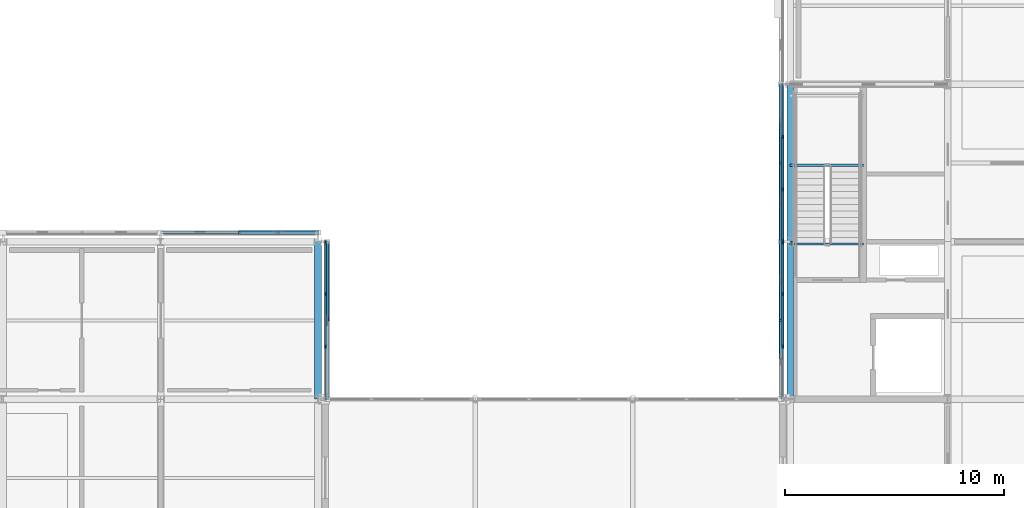
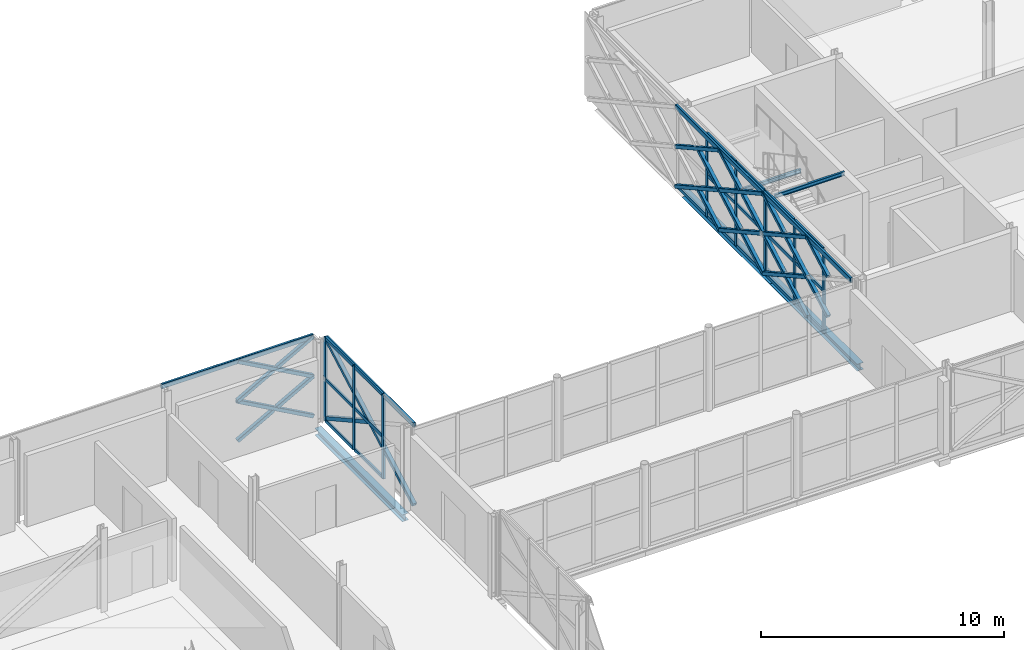
# One storey, part 48 of 126: 58 members, 5 beams, 3 elements without a shape of their own.
"""IFC4 building model written with IfcOpenShell, lengths in metres."""

from ifc_helpers import new_model, si_unit, direction, frame, origin, origin_2d, place, context, subcontext, project, spatial, rectangle, hollow_rectangle, i_section, extrude, material, material_profile, profile_set, type_object, element, aggregate, save


model = new_model("IFC4")

# Units and contexts
model_context = context("Model", 3, precision=1e-05, world=origin(), true_north=direction((0.0, 1.0)))
body_context = subcontext(model_context, "Body", "Model", "MODEL_VIEW")
ifc_project = project(units=[si_unit("LENGTHUNIT", "METRE"), si_unit("AREAUNIT", "SQUARE_METRE"), si_unit("VOLUMEUNIT", "CUBIC_METRE"), si_unit("PLANEANGLEUNIT", "RADIAN"), si_unit("MASSUNIT", "GRAM", prefix="KILO")], contexts=[model_context])

# Site, building, storey
site_placement = place(None, origin())
site = spatial("IfcSite", under=ifc_project, at=site_placement, CompositionType="ELEMENT")
building_placement = place(site_placement, origin())
building = spatial("IfcBuilding", under=site, at=building_placement, Name="Zlatovets Crest Museum", CompositionType="ELEMENT")
storey_placement = place(building_placement, frame((0.0, 0.0, 8.699951171875)))
storey = spatial("IfcBuildingStorey", under=building, at=storey_placement, Name="L02", CompositionType="ELEMENT", Elevation=8.699951171875)

# Beams
ifc_material_1 = material(Name="Structural steel S355J2", Category="steel")
ifc_material_profile_1 = material_profile(ifc_material_1, i_section(OverallWidth=0.300048828125, OverallDepth=0.35009765625, WebThickness=0.010009765625, FlangeThickness=0.017578125, FilletRadius=0.027099609375, at=origin_2d()), Name="HEA 360")
ifc_profile_set_1 = profile_set([ifc_material_profile_1], Name="Structural steel S355J2")
beam_type_1 = type_object("IfcBeamType", Name="Beam_B-03", PredefinedType="BEAM", material=ifc_profile_set_1)
for number, where, z_axis, x_axis, name in (
    (1, (57.60009765625, 93.60009765625, -0.39501953125), (0.0, 1.0, 0.0), (-1.0, 0.0, 0.0), "V1 L02 Grid Beam B-03"),
    (2, (57.60009765625, 100.800048828125, -0.39501953125), (0.0, 1.0, 0.0), (-1.0, 0.0, 0.0), "V1 L02 Grid Beam B-03"),
    (3, (36.0, 93.60009765625, -0.39501953125), (0.0, 1.0, 0.0), (-1.0, 0.0, 0.0), "V4 L02 Grid Beam B-03"),
):
    element("IfcBeam", number, at=place(storey_placement, frame(where, z_axis=z_axis, x_axis=x_axis)), inside=storey, type_object=beam_type_1, Name=name, PredefinedType="BEAM", context=body_context, shape_type="SweptSolid", body=[
        extrude(i_section(OverallWidth=0.300048828125, OverallDepth=0.35009765625, WebThickness=0.010009765625, FlangeThickness=0.017578125, FilletRadius=0.027099609375, at=origin_2d()), origin(), (0.0, 0.0, 1.0), 7.199951171875),
    ])
ifc_material_profile_2 = material_profile(ifc_material_1, i_section(OverallWidth=0.10009765625, OverallDepth=0.199951171875, WebThickness=0.005615234375, FlangeThickness=0.008544921875, FilletRadius=0.011962890625, at=origin_2d()), Name="IPE 200")
ifc_profile_set_2 = profile_set([ifc_material_profile_2], Name="Structural steel S355J2")
beam_type_2 = type_object("IfcBeamType", Name="Beam_PR-02", PredefinedType="LINTEL", material=ifc_profile_set_2)
for number, where, z_axis, x_axis, name in (
    (4, (57.60009765625, 100.699951171875, 3.860107421875), (1.0, 0.0, 0.0), (0.0, 1.0, 0.0), "Core C1 L02 Stair Well Header Beam"),
    (5, (57.60009765625, 104.300048828125, 1.800048828125), (1.0, 0.0, 0.0), (0.0, 1.0, 0.0), "Core C1 L02 Half-Landing Support Beam"),
):
    element("IfcBeam", number, at=place(storey_placement, frame(where, z_axis=z_axis, x_axis=x_axis)), inside=storey, type_object=beam_type_2, Name=name, PredefinedType="LINTEL", context=body_context, shape_type="SweptSolid", body=[
        extrude(i_section(OverallWidth=0.10009765625, OverallDepth=0.199951171875, WebThickness=0.005615234375, FlangeThickness=0.008544921875, FilletRadius=0.011962890625, at=origin_2d()), origin(), (0.0, 0.0, 1.0), 3.349853515625),
    ])

# Curtain wall, members
ifc_material_2 = material(Name="Bronze-anodised aluminium and low-E triple glass", Category="aluminium")
curtain_wall_type_1 = type_object("IfcCurtainWallType", Name="CW_CW-V1-L02-M3", PredefinedType="NOTDEFINED", material=ifc_material_2)
curtain_wall_1_placement = place(storey_placement, origin())
curtain_wall_1 = element("IfcCurtainWall", 6, at=curtain_wall_1_placement, inside=storey, type_object=curtain_wall_type_1, Name="V1 L02 Expressed Core Glazed Facade", PredefinedType="NOTDEFINED")
ifc_material_3 = material(Name="Bronze-anodised aluminium EN AW-6060", Category="aluminium")
ifc_material_profile_3 = material_profile(ifc_material_3, rectangle(XDim=0.080078125, YDim=0.159912109375, at=origin_2d()), Name="ALU 80x160")
ifc_profile_set_3 = profile_set([ifc_material_profile_3], Name="Bronze-anodised aluminium EN AW-6060")
member_type_1 = type_object("IfcMemberType", Name="CWMull_M1", PredefinedType="MULLION", material=ifc_profile_set_3)
member_1_placement = place(storey_placement, frame((57.260009765625, 105.60009765625, 0.0), z_axis=(0.0, 0.0, 1.0), x_axis=(1.0, 0.0, 0.0)))
member_1 = element("IfcMember", 7, at=member_1_placement, type_object=member_type_1, Name="CW-V1-L02-M3 mullion 2", PredefinedType="MULLION", context=body_context, shape_type="SweptSolid", body=[
    extrude(rectangle(XDim=0.080078125, YDim=0.159912109375, at=origin_2d()), origin(), (0.0, 0.0, 1.0), 4.199951171875),
])
member_2_placement = place(storey_placement, frame((57.260009765625, 103.199951171875, 0.0), z_axis=(0.0, 0.0, 1.0), x_axis=(1.0, 0.0, 0.0)))
member_2 = element("IfcMember", 8, at=member_2_placement, type_object=member_type_1, Name="CW-V1-L02-M3 mullion 3", PredefinedType="MULLION", context=body_context, shape_type="SweptSolid", body=[
    extrude(rectangle(XDim=0.080078125, YDim=0.159912109375, at=origin_2d()), origin(), (0.0, 0.0, 1.0), 4.199951171875),
])
member_3_placement = place(storey_placement, frame((57.260009765625, 100.830078125, 0.0), z_axis=(0.0, 0.0, 1.0), x_axis=(1.0, 0.0, 0.0)))
member_3 = element("IfcMember", 9, at=member_3_placement, type_object=member_type_1, Name="CW-V1-L02-M3 mullion 4", PredefinedType="MULLION", context=body_context, shape_type="SweptSolid", body=[
    extrude(rectangle(XDim=0.080078125, YDim=0.159912109375, at=origin_2d()), origin(), (0.0, 0.0, 1.0), 4.199951171875),
])

curtain_wall_type_2 = type_object("IfcCurtainWallType", Name="CW_CW-V1-L02-M0", PredefinedType="NOTDEFINED", material=ifc_material_2)
curtain_wall_2_placement = place(storey_placement, origin())
curtain_wall_2 = element("IfcCurtainWall", 10, at=curtain_wall_2_placement, inside=storey, type_object=curtain_wall_type_2, Name="V1 L02 Expressed Core Glazed Facade", PredefinedType="NOTDEFINED")
member_4_placement = place(storey_placement, frame((57.260009765625, 100.77001953125, 0.0), z_axis=(0.0, 0.0, 1.0), x_axis=(1.0, 0.0, 0.0)))
member_4 = element("IfcMember", 11, at=member_4_placement, type_object=member_type_1, Name="CW-V1-L02-M0 mullion 1", PredefinedType="MULLION", context=body_context, shape_type="SweptSolid", body=[
    extrude(rectangle(XDim=0.080078125, YDim=0.159912109375, at=origin_2d()), origin(), (0.0, 0.0, 1.0), 4.199951171875),
])
member_5_placement = place(storey_placement, frame((57.260009765625, 98.39990234375, 0.0), z_axis=(0.0, 0.0, 1.0), x_axis=(1.0, 0.0, 0.0)))
member_5 = element("IfcMember", 12, at=member_5_placement, type_object=member_type_1, Name="CW-V1-L02-M0 mullion 2", PredefinedType="MULLION", context=body_context, shape_type="SweptSolid", body=[
    extrude(rectangle(XDim=0.080078125, YDim=0.159912109375, at=origin_2d()), origin(), (0.0, 0.0, 1.0), 4.199951171875),
])
member_6_placement = place(storey_placement, frame((57.260009765625, 96.0, 0.0), z_axis=(0.0, 0.0, 1.0), x_axis=(1.0, 0.0, 0.0)))
member_6 = element("IfcMember", 13, at=member_6_placement, type_object=member_type_1, Name="CW-V1-L02-M0 mullion 3", PredefinedType="MULLION", context=body_context, shape_type="SweptSolid", body=[
    extrude(rectangle(XDim=0.080078125, YDim=0.159912109375, at=origin_2d()), origin(), (0.0, 0.0, 1.0), 4.199951171875),
])

curtain_wall_type_3 = type_object("IfcCurtainWallType", Name="CW_CW-V4-L02-M2", PredefinedType="NOTDEFINED", material=ifc_material_2)
curtain_wall_3_placement = place(storey_placement, origin())
curtain_wall_3 = element("IfcCurtainWall", 14, at=curtain_wall_3_placement, inside=storey, type_object=curtain_wall_type_3, Name="V4 L02 Secession Foyer Clear Curtain Wall", PredefinedType="NOTDEFINED")
member_7_placement = place(storey_placement, frame((36.340087890625, 96.0, 0.0), z_axis=(0.0, 0.0, 1.0), x_axis=(-1.0, 0.0, 0.0)))
member_7 = element("IfcMember", 15, at=member_7_placement, type_object=member_type_1, Name="CW-V4-L02-M2 mullion 2", PredefinedType="MULLION", context=body_context, shape_type="SweptSolid", body=[
    extrude(rectangle(XDim=0.080078125, YDim=0.159912109375, at=origin_2d()), origin(), (0.0, 0.0, 1.0), 4.199951171875),
])
member_8_placement = place(storey_placement, frame((36.340087890625, 98.39990234375, 0.0), z_axis=(0.0, 0.0, 1.0), x_axis=(-1.0, 0.0, 0.0)))
member_8 = element("IfcMember", 16, at=member_8_placement, type_object=member_type_1, Name="CW-V4-L02-M2 mullion 3", PredefinedType="MULLION", context=body_context, shape_type="SweptSolid", body=[
    extrude(rectangle(XDim=0.080078125, YDim=0.159912109375, at=origin_2d()), origin(), (0.0, 0.0, 1.0), 4.199951171875),
])
member_9_placement = place(storey_placement, frame((36.340087890625, 100.77001953125, 0.0), z_axis=(0.0, 0.0, 1.0), x_axis=(-1.0, 0.0, 0.0)))
member_9 = element("IfcMember", 17, at=member_9_placement, type_object=member_type_1, Name="CW-V4-L02-M2 mullion 4", PredefinedType="MULLION", context=body_context, shape_type="SweptSolid", body=[
    extrude(rectangle(XDim=0.080078125, YDim=0.159912109375, at=origin_2d()), origin(), (0.0, 0.0, 1.0), 4.199951171875),
])

# Member
ifc_material_profile_4 = material_profile(ifc_material_3, rectangle(XDim=0.080078125, YDim=0.159912109375, at=origin_2d()), Name="ALU 80x160")
ifc_profile_set_4 = profile_set([ifc_material_profile_4], Name="Bronze-anodised aluminium EN AW-6060")
member_type_2 = type_object("IfcMemberType", Name="CWTrans_T1", PredefinedType="USERDEFINED", material=ifc_profile_set_4)
member_10_placement = place(storey_placement, frame((57.260009765625, 107.93994140625, 0.030029296875), z_axis=(0.0, -1.0, 0.0), x_axis=(1.0, 0.0, 0.0)))
member_10 = element("IfcMember", 18, at=member_10_placement, type_object=member_type_2, Name="CW-V1-L02-M3 transom 1.1", ObjectType="TRANSOM", PredefinedType="USERDEFINED", context=body_context, shape_type="SweptSolid", body=[
    extrude(rectangle(XDim=0.080078125, YDim=0.159912109375, at=origin_2d()), origin(), (0.0, 0.0, 1.0), 2.31005859375),
])

member_11_placement = place(storey_placement, frame((57.260009765625, 105.570068359375, 0.030029296875), z_axis=(0.0, -1.0, 0.0), x_axis=(1.0, 0.0, 0.0)))
member_11 = element("IfcMember", 19, at=member_11_placement, type_object=member_type_2, Name="CW-V1-L02-M3 transom 2.1", ObjectType="TRANSOM", PredefinedType="USERDEFINED", context=body_context, shape_type="SweptSolid", body=[
    extrude(rectangle(XDim=0.080078125, YDim=0.159912109375, at=origin_2d()), origin(), (0.0, 0.0, 1.0), 2.340087890625),
])

member_12_placement = place(storey_placement, frame((57.260009765625, 105.570068359375, 2.10009765625), z_axis=(0.0, -1.0, 0.0), x_axis=(1.0, 0.0, 0.0)))
member_12 = element("IfcMember", 20, at=member_12_placement, type_object=member_type_2, Name="CW-V1-L02-M3 transom 2.2", ObjectType="TRANSOM", PredefinedType="USERDEFINED", context=body_context, shape_type="SweptSolid", body=[
    extrude(rectangle(XDim=0.080078125, YDim=0.159912109375, at=origin_2d()), origin(), (0.0, 0.0, 1.0), 2.340087890625),
])

member_13_placement = place(storey_placement, frame((57.260009765625, 105.570068359375, 4.170166015625), z_axis=(0.0, -1.0, 0.0), x_axis=(1.0, 0.0, 0.0)))
member_13 = element("IfcMember", 21, at=member_13_placement, type_object=member_type_2, Name="CW-V1-L02-M3 transom 2.3", ObjectType="TRANSOM", PredefinedType="USERDEFINED", context=body_context, shape_type="SweptSolid", body=[
    extrude(rectangle(XDim=0.080078125, YDim=0.159912109375, at=origin_2d()), origin(), (0.0, 0.0, 1.0), 2.340087890625),
])

member_14_placement = place(storey_placement, frame((57.260009765625, 103.169921875, 0.030029296875), z_axis=(0.0, -1.0, 0.0), x_axis=(1.0, 0.0, 0.0)))
member_14 = element("IfcMember", 22, at=member_14_placement, type_object=member_type_2, Name="CW-V1-L02-M3 transom 3.1", ObjectType="TRANSOM", PredefinedType="USERDEFINED", context=body_context, shape_type="SweptSolid", body=[
    extrude(rectangle(XDim=0.080078125, YDim=0.159912109375, at=origin_2d()), origin(), (0.0, 0.0, 1.0), 2.309814453125),
])

member_15_placement = place(storey_placement, frame((57.260009765625, 103.169921875, 2.10009765625), z_axis=(0.0, -1.0, 0.0), x_axis=(1.0, 0.0, 0.0)))
member_15 = element("IfcMember", 23, at=member_15_placement, type_object=member_type_2, Name="CW-V1-L02-M3 transom 3.2", ObjectType="TRANSOM", PredefinedType="USERDEFINED", context=body_context, shape_type="SweptSolid", body=[
    extrude(rectangle(XDim=0.080078125, YDim=0.159912109375, at=origin_2d()), origin(), (0.0, 0.0, 1.0), 2.309814453125),
])

member_16_placement = place(storey_placement, frame((57.260009765625, 103.169921875, 4.170166015625), z_axis=(0.0, -1.0, 0.0), x_axis=(1.0, 0.0, 0.0)))
member_16 = element("IfcMember", 24, at=member_16_placement, type_object=member_type_2, Name="CW-V1-L02-M3 transom 3.3", ObjectType="TRANSOM", PredefinedType="USERDEFINED", context=body_context, shape_type="SweptSolid", body=[
    extrude(rectangle(XDim=0.080078125, YDim=0.159912109375, at=origin_2d()), origin(), (0.0, 0.0, 1.0), 2.309814453125),
])

aggregate(curtain_wall_1, [member_1, member_2, member_3, member_10, member_11, member_12, member_13, member_14, member_15, member_16])

member_17_placement = place(storey_placement, frame((57.260009765625, 100.739990234375, 0.030029296875), z_axis=(0.0, -1.0, 0.0), x_axis=(1.0, 0.0, 0.0)))
member_17 = element("IfcMember", 25, at=member_17_placement, type_object=member_type_2, Name="CW-V1-L02-M0 transom 1.1", ObjectType="TRANSOM", PredefinedType="USERDEFINED", context=body_context, shape_type="SweptSolid", body=[
    extrude(rectangle(XDim=0.080078125, YDim=0.159912109375, at=origin_2d()), origin(), (0.0, 0.0, 1.0), 2.31005859375),
])

member_18_placement = place(storey_placement, frame((57.260009765625, 100.739990234375, 2.10009765625), z_axis=(0.0, -1.0, 0.0), x_axis=(1.0, 0.0, 0.0)))
member_18 = element("IfcMember", 26, at=member_18_placement, type_object=member_type_2, Name="CW-V1-L02-M0 transom 1.2", ObjectType="TRANSOM", PredefinedType="USERDEFINED", context=body_context, shape_type="SweptSolid", body=[
    extrude(rectangle(XDim=0.080078125, YDim=0.159912109375, at=origin_2d()), origin(), (0.0, 0.0, 1.0), 2.31005859375),
])

member_19_placement = place(storey_placement, frame((57.260009765625, 100.739990234375, 4.170166015625), z_axis=(0.0, -1.0, 0.0), x_axis=(1.0, 0.0, 0.0)))
member_19 = element("IfcMember", 27, at=member_19_placement, type_object=member_type_2, Name="CW-V1-L02-M0 transom 1.3", ObjectType="TRANSOM", PredefinedType="USERDEFINED", context=body_context, shape_type="SweptSolid", body=[
    extrude(rectangle(XDim=0.080078125, YDim=0.159912109375, at=origin_2d()), origin(), (0.0, 0.0, 1.0), 2.31005859375),
])

member_20_placement = place(storey_placement, frame((57.260009765625, 98.3701171875, 0.030029296875), z_axis=(0.0, -1.0, 0.0), x_axis=(1.0, 0.0, 0.0)))
member_20 = element("IfcMember", 28, at=member_20_placement, type_object=member_type_2, Name="CW-V1-L02-M0 transom 2.1", ObjectType="TRANSOM", PredefinedType="USERDEFINED", context=body_context, shape_type="SweptSolid", body=[
    extrude(rectangle(XDim=0.080078125, YDim=0.159912109375, at=origin_2d()), origin(), (0.0, 0.0, 1.0), 2.340087890625),
])

member_21_placement = place(storey_placement, frame((57.260009765625, 98.3701171875, 2.10009765625), z_axis=(0.0, -1.0, 0.0), x_axis=(1.0, 0.0, 0.0)))
member_21 = element("IfcMember", 29, at=member_21_placement, type_object=member_type_2, Name="CW-V1-L02-M0 transom 2.2", ObjectType="TRANSOM", PredefinedType="USERDEFINED", context=body_context, shape_type="SweptSolid", body=[
    extrude(rectangle(XDim=0.080078125, YDim=0.159912109375, at=origin_2d()), origin(), (0.0, 0.0, 1.0), 2.340087890625),
])

member_22_placement = place(storey_placement, frame((57.260009765625, 98.3701171875, 4.170166015625), z_axis=(0.0, -1.0, 0.0), x_axis=(1.0, 0.0, 0.0)))
member_22 = element("IfcMember", 30, at=member_22_placement, type_object=member_type_2, Name="CW-V1-L02-M0 transom 2.3", ObjectType="TRANSOM", PredefinedType="USERDEFINED", context=body_context, shape_type="SweptSolid", body=[
    extrude(rectangle(XDim=0.080078125, YDim=0.159912109375, at=origin_2d()), origin(), (0.0, 0.0, 1.0), 2.340087890625),
])

aggregate(curtain_wall_2, [member_4, member_5, member_6, member_17, member_18, member_19, member_20, member_21, member_22])

member_23_placement = place(storey_placement, frame((36.340087890625, 96.030029296875, 0.030029296875), z_axis=(0.0, 1.0, 0.0), x_axis=(-1.0, 0.0, 0.0)))
member_23 = element("IfcMember", 31, at=member_23_placement, type_object=member_type_2, Name="CW-V4-L02-M2 transom 2.1", ObjectType="TRANSOM", PredefinedType="USERDEFINED", context=body_context, shape_type="SweptSolid", body=[
    extrude(rectangle(XDim=0.080078125, YDim=0.159912109375, at=origin_2d()), origin(), (0.0, 0.0, 1.0), 2.340087890625),
])

member_24_placement = place(storey_placement, frame((36.340087890625, 96.030029296875, 2.10009765625), z_axis=(0.0, 1.0, 0.0), x_axis=(-1.0, 0.0, 0.0)))
member_24 = element("IfcMember", 32, at=member_24_placement, type_object=member_type_2, Name="CW-V4-L02-M2 transom 2.2", ObjectType="TRANSOM", PredefinedType="USERDEFINED", context=body_context, shape_type="SweptSolid", body=[
    extrude(rectangle(XDim=0.080078125, YDim=0.159912109375, at=origin_2d()), origin(), (0.0, 0.0, 1.0), 2.340087890625),
])

member_25_placement = place(storey_placement, frame((36.340087890625, 96.030029296875, 4.170166015625), z_axis=(0.0, 1.0, 0.0), x_axis=(-1.0, 0.0, 0.0)))
member_25 = element("IfcMember", 33, at=member_25_placement, type_object=member_type_2, Name="CW-V4-L02-M2 transom 2.3", ObjectType="TRANSOM", PredefinedType="USERDEFINED", context=body_context, shape_type="SweptSolid", body=[
    extrude(rectangle(XDim=0.080078125, YDim=0.159912109375, at=origin_2d()), origin(), (0.0, 0.0, 1.0), 2.340087890625),
])

member_26_placement = place(storey_placement, frame((36.340087890625, 98.429931640625, 0.030029296875), z_axis=(0.0, 1.0, 0.0), x_axis=(-1.0, 0.0, 0.0)))
member_26 = element("IfcMember", 34, at=member_26_placement, type_object=member_type_2, Name="CW-V4-L02-M2 transom 3.1", ObjectType="TRANSOM", PredefinedType="USERDEFINED", context=body_context, shape_type="SweptSolid", body=[
    extrude(rectangle(XDim=0.080078125, YDim=0.159912109375, at=origin_2d()), origin(), (0.0, 0.0, 1.0), 2.31005859375),
])

member_27_placement = place(storey_placement, frame((36.340087890625, 98.429931640625, 2.10009765625), z_axis=(0.0, 1.0, 0.0), x_axis=(-1.0, 0.0, 0.0)))
member_27 = element("IfcMember", 35, at=member_27_placement, type_object=member_type_2, Name="CW-V4-L02-M2 transom 3.2", ObjectType="TRANSOM", PredefinedType="USERDEFINED", context=body_context, shape_type="SweptSolid", body=[
    extrude(rectangle(XDim=0.080078125, YDim=0.159912109375, at=origin_2d()), origin(), (0.0, 0.0, 1.0), 2.31005859375),
])

member_28_placement = place(storey_placement, frame((36.340087890625, 98.429931640625, 4.170166015625), z_axis=(0.0, 1.0, 0.0), x_axis=(-1.0, 0.0, 0.0)))
member_28 = element("IfcMember", 36, at=member_28_placement, type_object=member_type_2, Name="CW-V4-L02-M2 transom 3.3", ObjectType="TRANSOM", PredefinedType="USERDEFINED", context=body_context, shape_type="SweptSolid", body=[
    extrude(rectangle(XDim=0.080078125, YDim=0.159912109375, at=origin_2d()), origin(), (0.0, 0.0, 1.0), 2.31005859375),
])

aggregate(curtain_wall_3, [member_7, member_8, member_9, member_23, member_24, member_25, member_26, member_27, member_28])

# Members
ifc_material_4 = material(Name="Weathering bronze-steel S355J2W", Category="steel")
ifc_material_profile_5 = material_profile(ifc_material_4, hollow_rectangle(XDim=0.179931640625, YDim=0.179931640625, WallThickness=0.010009765625, InnerFilletRadius=0.010009765625, OuterFilletRadius=0.02001953125, at=origin_2d()), Name="SHS 180x180x10.0")
ifc_profile_set_5 = profile_set([ifc_material_profile_5], Name="Weathering bronze-steel S355J2W")
member_type_3 = type_object("IfcMemberType", Name="Lattice_XL-01", PredefinedType="BRACE", material=ifc_profile_set_5)
member_29_placement = place(storey_placement, frame((57.179931640625, 108.0, 0.10009765625), z_axis=(0.0, -0.874162868644, 0.485632864501), x_axis=(1.0, 0.0, 0.0)))
element("IfcMember", 37, at=member_29_placement, inside=storey, type_object=member_type_3, Name="Continuous Bronze Lattice Diagonal", PredefinedType="BRACE", context=body_context, shape_type="SweptSolid", body=[
    extrude(hollow_rectangle(XDim=0.179931640625, YDim=0.179931640625, WallThickness=0.010009765625, InnerFilletRadius=0.010009765625, OuterFilletRadius=0.02001953125, at=origin_2d()), origin(), (0.0, 0.0, 1.0), 4.118408203125),
])
member_30_placement = place(storey_placement, frame((57.179931640625, 106.116943359375, 1.053955078125), z_axis=(0.0, -0.874169001841, -0.485621824284), x_axis=(1.0, 0.0, 0.0)))
element("IfcMember", 38, at=member_30_placement, inside=storey, type_object=member_type_3, Name="Split Crossing Bronze Lattice Diagonal Lower", PredefinedType="BRACE", context=body_context, shape_type="SweptSolid", body=[
    extrude(hollow_rectangle(XDim=0.179931640625, YDim=0.179931640625, WallThickness=0.010009765625, InnerFilletRadius=0.010009765625, OuterFilletRadius=0.02001953125, at=origin_2d()), origin(), (0.0, 0.0, 1.0), 1.964111328125),
])
member_31_placement = place(storey_placement, frame((57.179931640625, 104.39990234375, 0.10009765625), z_axis=(0.0, -0.874148886685, 0.485658031857), x_axis=(1.0, 0.0, 0.0)))
element("IfcMember", 39, at=member_31_placement, inside=storey, type_object=member_type_3, Name="Continuous Bronze Lattice Diagonal", PredefinedType="BRACE", context=body_context, shape_type="SweptSolid", body=[
    extrude(hollow_rectangle(XDim=0.179931640625, YDim=0.179931640625, WallThickness=0.010009765625, InnerFilletRadius=0.010009765625, OuterFilletRadius=0.02001953125, at=origin_2d()), origin(), (0.0, 0.0, 1.0), 4.1181640625),
])
member_32_placement = place(storey_placement, frame((57.179931640625, 104.39990234375, 2.10009765625), z_axis=(0.0, -0.874139684676, -0.48567459443), x_axis=(1.0, 0.0, 0.0)))
element("IfcMember", 40, at=member_32_placement, inside=storey, type_object=member_type_3, Name="Split Crossing Bronze Lattice Diagonal Upper", PredefinedType="BRACE", context=body_context, shape_type="SweptSolid", body=[
    extrude(hollow_rectangle(XDim=0.179931640625, YDim=0.179931640625, WallThickness=0.010009765625, InnerFilletRadius=0.010009765625, OuterFilletRadius=0.02001953125, at=origin_2d()), origin(), (0.0, 0.0, 1.0), 1.9638671875),
])
member_33_placement = place(storey_placement, frame((57.179931640625, 102.51708984375, 1.053955078125), z_axis=(0.0, -0.874169001841, -0.485621824284), x_axis=(1.0, 0.0, 0.0)))
element("IfcMember", 41, at=member_33_placement, inside=storey, type_object=member_type_3, Name="Split Crossing Bronze Lattice Diagonal Lower", PredefinedType="BRACE", context=body_context, shape_type="SweptSolid", body=[
    extrude(hollow_rectangle(XDim=0.179931640625, YDim=0.179931640625, WallThickness=0.010009765625, InnerFilletRadius=0.010009765625, OuterFilletRadius=0.02001953125, at=origin_2d()), origin(), (0.0, 0.0, 1.0), 1.964111328125),
])
member_34_placement = place(storey_placement, frame((57.179931640625, 108.0, 2.10009765625), z_axis=(0.0, -0.874162868644, 0.485632864501), x_axis=(1.0, 0.0, 0.0)))
element("IfcMember", 42, at=member_34_placement, inside=storey, type_object=member_type_3, Name="Continuous Bronze Lattice Diagonal", PredefinedType="BRACE", context=body_context, shape_type="SweptSolid", body=[
    extrude(hollow_rectangle(XDim=0.179931640625, YDim=0.179931640625, WallThickness=0.010009765625, InnerFilletRadius=0.010009765625, OuterFilletRadius=0.02001953125, at=origin_2d()), origin(), (0.0, 0.0, 1.0), 4.118408203125),
])
member_35_placement = place(storey_placement, frame((57.179931640625, 106.116943359375, 3.053955078125), z_axis=(0.0, -0.874169001841, -0.485621824284), x_axis=(1.0, 0.0, 0.0)))
element("IfcMember", 43, at=member_35_placement, inside=storey, type_object=member_type_3, Name="Split Crossing Bronze Lattice Diagonal Lower", PredefinedType="BRACE", context=body_context, shape_type="SweptSolid", body=[
    extrude(hollow_rectangle(XDim=0.179931640625, YDim=0.179931640625, WallThickness=0.010009765625, InnerFilletRadius=0.010009765625, OuterFilletRadius=0.02001953125, at=origin_2d()), origin(), (0.0, 0.0, 1.0), 1.964111328125),
])
member_36_placement = place(storey_placement, frame((57.179931640625, 104.39990234375, 2.10009765625), z_axis=(0.0, -0.874148886685, 0.485658031857), x_axis=(1.0, 0.0, 0.0)))
element("IfcMember", 44, at=member_36_placement, inside=storey, type_object=member_type_3, Name="Continuous Bronze Lattice Diagonal", PredefinedType="BRACE", context=body_context, shape_type="SweptSolid", body=[
    extrude(hollow_rectangle(XDim=0.179931640625, YDim=0.179931640625, WallThickness=0.010009765625, InnerFilletRadius=0.010009765625, OuterFilletRadius=0.02001953125, at=origin_2d()), origin(), (0.0, 0.0, 1.0), 4.1181640625),
])
member_37_placement = place(storey_placement, frame((57.179931640625, 104.39990234375, 4.10009765625), z_axis=(0.0, -0.874139684676, -0.48567459443), x_axis=(1.0, 0.0, 0.0)))
element("IfcMember", 45, at=member_37_placement, inside=storey, type_object=member_type_3, Name="Split Crossing Bronze Lattice Diagonal Upper", PredefinedType="BRACE", context=body_context, shape_type="SweptSolid", body=[
    extrude(hollow_rectangle(XDim=0.179931640625, YDim=0.179931640625, WallThickness=0.010009765625, InnerFilletRadius=0.010009765625, OuterFilletRadius=0.02001953125, at=origin_2d()), origin(), (0.0, 0.0, 1.0), 1.9638671875),
])
member_38_placement = place(storey_placement, frame((57.179931640625, 102.51708984375, 3.053955078125), z_axis=(0.0, -0.874169001841, -0.485621824284), x_axis=(1.0, 0.0, 0.0)))
element("IfcMember", 46, at=member_38_placement, inside=storey, type_object=member_type_3, Name="Split Crossing Bronze Lattice Diagonal Lower", PredefinedType="BRACE", context=body_context, shape_type="SweptSolid", body=[
    extrude(hollow_rectangle(XDim=0.179931640625, YDim=0.179931640625, WallThickness=0.010009765625, InnerFilletRadius=0.010009765625, OuterFilletRadius=0.02001953125, at=origin_2d()), origin(), (0.0, 0.0, 1.0), 1.964111328125),
])
member_39_placement = place(storey_placement, frame((57.179931640625, 100.800048828125, 0.10009765625), z_axis=(0.0, -0.874162868644, 0.485632864501), x_axis=(1.0, 0.0, 0.0)))
element("IfcMember", 47, at=member_39_placement, inside=storey, type_object=member_type_3, Name="Continuous Bronze Lattice Diagonal", PredefinedType="BRACE", context=body_context, shape_type="SweptSolid", body=[
    extrude(hollow_rectangle(XDim=0.179931640625, YDim=0.179931640625, WallThickness=0.010009765625, InnerFilletRadius=0.010009765625, OuterFilletRadius=0.02001953125, at=origin_2d()), origin(), (0.0, 0.0, 1.0), 4.118408203125),
])
for number, where, z_axis, x_axis, name in (
    (48, (57.179931640625, 100.800048828125, 2.10009765625), (0.0, -0.874169001841, -0.485621824284), (1.0, 0.0, 0.0), "Split Crossing Bronze Lattice Diagonal Upper"),
    (49, (57.179931640625, 98.9169921875, 1.053955078125), (0.0, -0.874169001841, -0.485621824284), (1.0, 0.0, 0.0), "Split Crossing Bronze Lattice Diagonal Lower"),
    (50, (57.179931640625, 97.199951171875, 2.10009765625), (0.0, -0.874169001841, -0.485621824284), (1.0, 0.0, 0.0), "Split Crossing Bronze Lattice Diagonal Upper"),
):
    element("IfcMember", number, at=place(storey_placement, frame(where, z_axis=z_axis, x_axis=x_axis)), inside=storey, type_object=member_type_3, Name=name, PredefinedType="BRACE", context=body_context, shape_type="SweptSolid", body=[
        extrude(hollow_rectangle(XDim=0.179931640625, YDim=0.179931640625, WallThickness=0.010009765625, InnerFilletRadius=0.010009765625, OuterFilletRadius=0.02001953125, at=origin_2d()), origin(), (0.0, 0.0, 1.0), 1.964111328125),
    ])
member_40_placement = place(storey_placement, frame((57.179931640625, 100.800048828125, 2.10009765625), z_axis=(0.0, -0.874162868644, 0.485632864501), x_axis=(1.0, 0.0, 0.0)))
element("IfcMember", 51, at=member_40_placement, inside=storey, type_object=member_type_3, Name="Continuous Bronze Lattice Diagonal", PredefinedType="BRACE", context=body_context, shape_type="SweptSolid", body=[
    extrude(hollow_rectangle(XDim=0.179931640625, YDim=0.179931640625, WallThickness=0.010009765625, InnerFilletRadius=0.010009765625, OuterFilletRadius=0.02001953125, at=origin_2d()), origin(), (0.0, 0.0, 1.0), 4.118408203125),
])
for number, where, z_axis, x_axis, name in (
    (52, (57.179931640625, 100.800048828125, 4.10009765625), (0.0, -0.874169001841, -0.485621824284), (1.0, 0.0, 0.0), "Split Crossing Bronze Lattice Diagonal Upper"),
    (53, (57.179931640625, 98.9169921875, 3.053955078125), (0.0, -0.874169001841, -0.485621824284), (1.0, 0.0, 0.0), "Split Crossing Bronze Lattice Diagonal Lower"),
    (54, (57.179931640625, 97.199951171875, 4.10009765625), (0.0, -0.874169001841, -0.485621824284), (1.0, 0.0, 0.0), "Split Crossing Bronze Lattice Diagonal Upper"),
):
    element("IfcMember", number, at=place(storey_placement, frame(where, z_axis=z_axis, x_axis=x_axis)), inside=storey, type_object=member_type_3, Name=name, PredefinedType="BRACE", context=body_context, shape_type="SweptSolid", body=[
        extrude(hollow_rectangle(XDim=0.179931640625, YDim=0.179931640625, WallThickness=0.010009765625, InnerFilletRadius=0.010009765625, OuterFilletRadius=0.02001953125, at=origin_2d()), origin(), (0.0, 0.0, 1.0), 1.964111328125),
    ])
member_41_placement = place(storey_placement, frame((36.0, 101.219970703125, 0.10009765625), z_axis=(-0.874162868644, 0.0, 0.485632864501), x_axis=(0.0, -1.0, 0.0)))
element("IfcMember", 55, at=member_41_placement, inside=storey, type_object=member_type_3, Name="Continuous Bronze Lattice Diagonal", PredefinedType="BRACE", context=body_context, shape_type="SweptSolid", body=[
    extrude(hollow_rectangle(XDim=0.179931640625, YDim=0.179931640625, WallThickness=0.010009765625, InnerFilletRadius=0.010009765625, OuterFilletRadius=0.02001953125, at=origin_2d()), origin(), (0.0, 0.0, 1.0), 4.118408203125),
])
for number, where, z_axis, x_axis, name in (
    (56, (36.0, 101.219970703125, 2.10009765625), (-0.874169001841, 0.0, -0.485621824284), (0.0, -1.0, 0.0), "Split Crossing Bronze Lattice Diagonal Upper"),
    (57, (34.116943359375, 101.219970703125, 1.053955078125), (-0.874169001841, 0.0, -0.485621824284), (0.0, -1.0, 0.0), "Split Crossing Bronze Lattice Diagonal Lower"),
):
    element("IfcMember", number, at=place(storey_placement, frame(where, z_axis=z_axis, x_axis=x_axis)), inside=storey, type_object=member_type_3, Name=name, PredefinedType="BRACE", context=body_context, shape_type="SweptSolid", body=[
        extrude(hollow_rectangle(XDim=0.179931640625, YDim=0.179931640625, WallThickness=0.010009765625, InnerFilletRadius=0.010009765625, OuterFilletRadius=0.02001953125, at=origin_2d()), origin(), (0.0, 0.0, 1.0), 1.964111328125),
    ])
member_42_placement = place(storey_placement, frame((36.0, 101.219970703125, 2.10009765625), z_axis=(-0.874162868644, 0.0, 0.485632864501), x_axis=(0.0, -1.0, 0.0)))
element("IfcMember", 58, at=member_42_placement, inside=storey, type_object=member_type_3, Name="Continuous Bronze Lattice Diagonal", PredefinedType="BRACE", context=body_context, shape_type="SweptSolid", body=[
    extrude(hollow_rectangle(XDim=0.179931640625, YDim=0.179931640625, WallThickness=0.010009765625, InnerFilletRadius=0.010009765625, OuterFilletRadius=0.02001953125, at=origin_2d()), origin(), (0.0, 0.0, 1.0), 4.118408203125),
])
for number, where, z_axis, x_axis, name in (
    (59, (36.0, 101.219970703125, 4.10009765625), (-0.874169001841, 0.0, -0.485621824284), (0.0, -1.0, 0.0), "Split Crossing Bronze Lattice Diagonal Upper"),
    (60, (34.116943359375, 101.219970703125, 3.053955078125), (-0.874169001841, 0.0, -0.485621824284), (0.0, -1.0, 0.0), "Split Crossing Bronze Lattice Diagonal Lower"),
):
    element("IfcMember", number, at=place(storey_placement, frame(where, z_axis=z_axis, x_axis=x_axis)), inside=storey, type_object=member_type_3, Name=name, PredefinedType="BRACE", context=body_context, shape_type="SweptSolid", body=[
        extrude(hollow_rectangle(XDim=0.179931640625, YDim=0.179931640625, WallThickness=0.010009765625, InnerFilletRadius=0.010009765625, OuterFilletRadius=0.02001953125, at=origin_2d()), origin(), (0.0, 0.0, 1.0), 1.964111328125),
    ])
ifc_material_profile_6 = material_profile(ifc_material_4, hollow_rectangle(XDim=0.199951171875, YDim=0.199951171875, WallThickness=0.012451171875, InnerFilletRadius=0.012451171875, OuterFilletRadius=0.02490234375, at=origin_2d()), Name="SHS 200x200x12.5")
ifc_profile_set_6 = profile_set([ifc_material_profile_6], Name="Weathering bronze-steel S355J2W")
member_type_4 = type_object("IfcMemberType", Name="Lattice_XL-02", PredefinedType="BRACE", material=ifc_profile_set_6)
member_43_placement = place(storey_placement, frame((36.419921875, 93.60009765625, 0.10009765625), z_axis=(0.0, 0.874155877937, 0.485645447903), x_axis=(-1.0, 0.0, 0.0)))
element("IfcMember", 61, at=member_43_placement, inside=storey, type_object=member_type_4, Name="Continuous Bronze Lattice Diagonal", PredefinedType="BRACE", context=body_context, shape_type="SweptSolid", body=[
    extrude(hollow_rectangle(XDim=0.199951171875, YDim=0.199951171875, WallThickness=0.012451171875, InnerFilletRadius=0.012451171875, OuterFilletRadius=0.02490234375, at=origin_2d()), origin(), (0.0, 0.0, 1.0), 8.236572265625),
])
member_44_placement = place(storey_placement, frame((36.419921875, 97.282958984375, 2.053955078125), z_axis=(0.0, 0.874165862873, -0.485627474703), x_axis=(-1.0, 0.0, 0.0)))
element("IfcMember", 62, at=member_44_placement, inside=storey, type_object=member_type_4, Name="Split Crossing Bronze Lattice Diagonal Lower", PredefinedType="BRACE", context=body_context, shape_type="SweptSolid", body=[
    extrude(hollow_rectangle(XDim=0.199951171875, YDim=0.199951171875, WallThickness=0.012451171875, InnerFilletRadius=0.012451171875, OuterFilletRadius=0.02490234375, at=origin_2d()), origin(), (0.0, 0.0, 1.0), 4.0234375),
])
ifc_material_profile_7 = material_profile(ifc_material_4, hollow_rectangle(XDim=0.1201171875, YDim=0.239990234375, WallThickness=0.010009765625, InnerFilletRadius=0.010009765625, OuterFilletRadius=0.02001953125, at=origin_2d()), Name="RHS 120x240x10.0")
ifc_profile_set_7 = profile_set([ifc_material_profile_7], Name="Weathering bronze-steel S355J2W")
member_type_5 = type_object("IfcMemberType", Name="Lattice_XL-04", PredefinedType="CHORD", material=ifc_profile_set_7)
for number, where, z_axis, x_axis, name in (
    (63, (57.179931640625, 108.0, 4.10009765625), (0.0, -1.0, 0.0), (1.0, 0.0, 0.0), "Art Nouveau Woven Cage Collector Ring Chord"),
    (64, (57.179931640625, 100.800048828125, 4.10009765625), (0.0, -1.0, 0.0), (1.0, 0.0, 0.0), "Art Nouveau Woven Cage Collector Ring Chord"),
    (65, (36.419921875, 93.60009765625, 4.10009765625), (0.0, 1.0, 0.0), (-1.0, 0.0, 0.0), "Art Nouveau Woven Cage Collector Ring Chord"),
    (66, (36.0, 101.219970703125, 4.10009765625), (-1.0, 0.0, 0.0), (0.0, -1.0, 0.0), "Art Nouveau Woven Cage Collector Ring Chord"),
):
    element("IfcMember", number, at=place(storey_placement, frame(where, z_axis=z_axis, x_axis=x_axis)), inside=storey, type_object=member_type_5, Name=name, PredefinedType="CHORD", context=body_context, shape_type="SweptSolid", body=[
        extrude(hollow_rectangle(XDim=0.1201171875, YDim=0.239990234375, WallThickness=0.010009765625, InnerFilletRadius=0.010009765625, OuterFilletRadius=0.02001953125, at=origin_2d()), origin(), (0.0, 0.0, 1.0), 7.199951171875),
    ])

save(model, "model.ifc")
